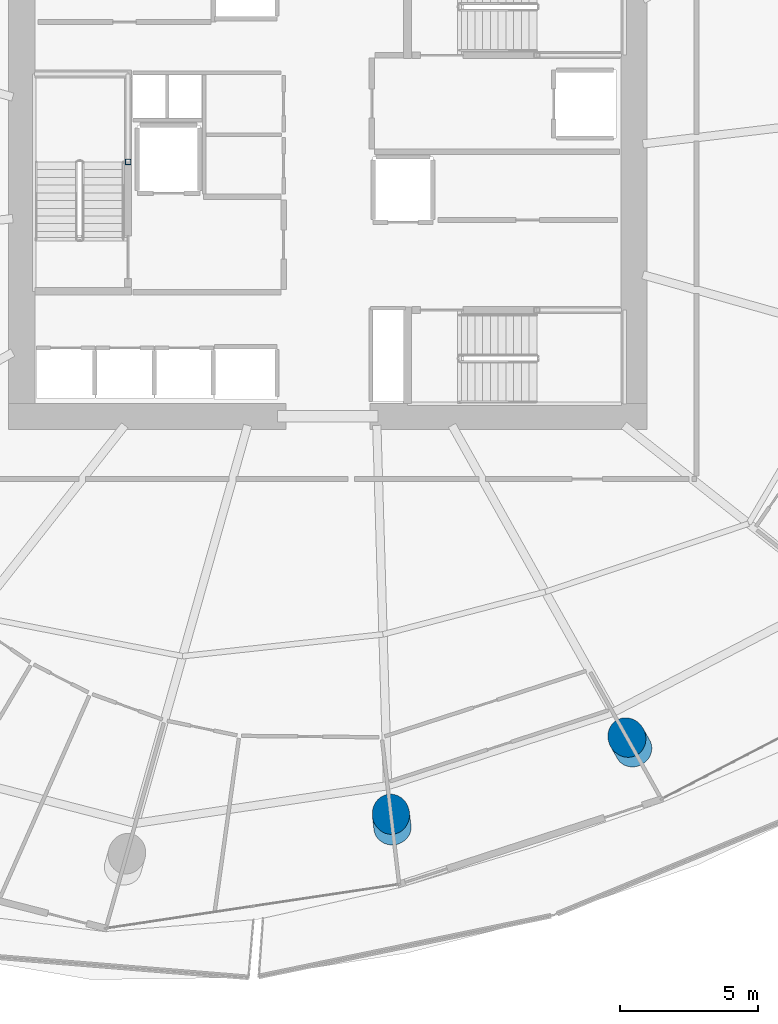
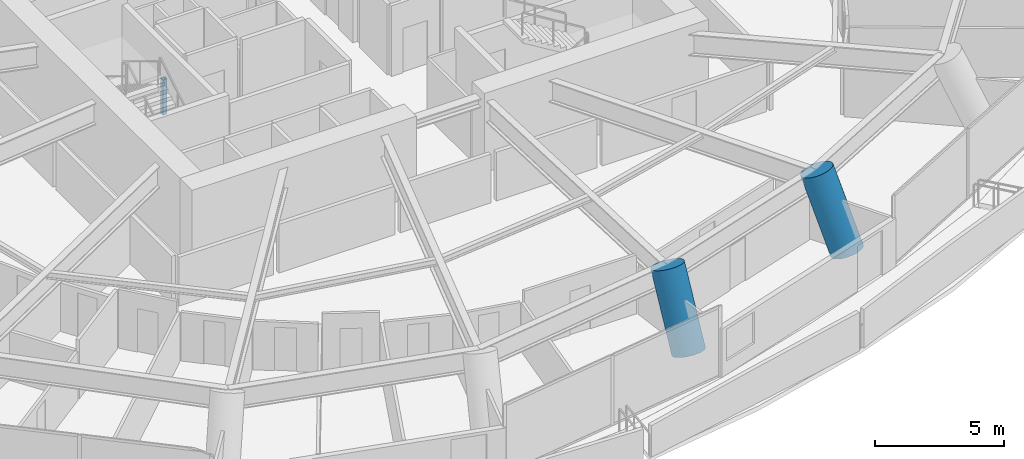
# One storey, part 2 of 31: 3 columns.
"""IFC4 building model written with IfcOpenShell, lengths in metres."""

from ifc_helpers import new_model, si_unit, direction, frame, origin, origin_2d, place, context, subcontext, project, spatial, hollow_rectangle, circle, extrude, material, material_profile, profile_set, type_object, element, save


model = new_model("IFC4")

# Units and contexts
model_context = context("Model", 3, precision=1e-05, world=origin(), true_north=direction((0.0, 1.0)))
body_context = subcontext(model_context, "Body", "Model", "MODEL_VIEW")
ifc_project = project(units=[si_unit("LENGTHUNIT", "METRE"), si_unit("AREAUNIT", "SQUARE_METRE"), si_unit("VOLUMEUNIT", "CUBIC_METRE"), si_unit("PLANEANGLEUNIT", "RADIAN"), si_unit("MASSUNIT", "GRAM", prefix="KILO")], contexts=[model_context])

# Site, building, storey
site_placement = place(None, origin())
site = spatial("IfcSite", under=ifc_project, at=site_placement, CompositionType="ELEMENT")
building_placement = place(site_placement, origin())
building = spatial("IfcBuilding", under=site, at=building_placement, Name="Kazma Halo Residences", CompositionType="ELEMENT")
storey_placement = place(building_placement, frame((0.0, 0.0, 71.39990234375)))
storey = spatial("IfcBuildingStorey", under=building, at=storey_placement, Name="L17", CompositionType="ELEMENT", Elevation=71.39990234375)

# Columns
ifc_material_1 = material(Name="Steel S355", Category="steel")
ifc_material_profile_1 = material_profile(ifc_material_1, hollow_rectangle(XDim=0.199951171875, YDim=0.199951171875, WallThickness=0.010009765625, InnerFilletRadius=0.010009765625, OuterFilletRadius=0.02001953125, at=origin_2d()), Name="SHS200x200x10")
ifc_profile_set_1 = profile_set([ifc_material_profile_1], Name="Steel S355")
column_type_1 = type_object("IfcColumnType", Name="COL-LP-SHS200", PredefinedType="COLUMN", material=ifc_profile_set_1)
column_placement = place(storey_placement, frame((41.179931640625, 42.75, 0.0), z_axis=(0.0, 0.0, 1.0), x_axis=(1.0, 0.0, 0.0)))
element("IfcColumn", 1, at=column_placement, inside=storey, type_object=column_type_1, Name="L17 ST-01 landing pilaster 1", PredefinedType="COLUMN", context=body_context, shape_type="SweptSolid", body=[
    extrude(hollow_rectangle(XDim=0.199951171875, YDim=0.199951171875, WallThickness=0.010009765625, InnerFilletRadius=0.010009765625, OuterFilletRadius=0.02001953125, at=origin_2d()), origin(), (0.0, 0.0, 1.0), 1.670166015625),
])
ifc_material_2 = material(Name="Concrete C80/95", Category="concrete")
ifc_material_profile_2 = material_profile(ifc_material_2, circle(Radius=0.675048828125, at=origin_2d()), Name="CIRC1350")
ifc_profile_set_2 = profile_set([ifc_material_profile_2], Name="Concrete C80/95")
column_type_2 = type_object("IfcColumnType", Name="COL-PERIM-1350", PredefinedType="COLUMN", material=ifc_profile_set_2)
for number, where, z_axis, x_axis, name in (
    (2, (50.768310546875, 18.610595703125, 0.0), (-0.044395335114, 0.375336245044, 0.925824906435), (-0.993077298067, -0.117462675198, 0.0), "L17 perimeter ring column P12"),
    (3, (59.50830078125, 21.450439453125, 0.0), (-0.184668222307, 0.329730947174, 0.925837539823), (-0.872484704386, -0.488641423349, 0.0), "L17 perimeter ring column P13"),
):
    element("IfcColumn", number, at=place(storey_placement, frame(where, z_axis=z_axis, x_axis=x_axis)), inside=storey, type_object=column_type_2, Name=name, PredefinedType="COLUMN", context=body_context, shape_type="SweptSolid", body=[
        extrude(circle(Radius=0.675048828125, at=origin_2d()), origin(), (0.0, 0.0, 1.0), 3.618408203125),
    ])

save(model, "model.ifc")
